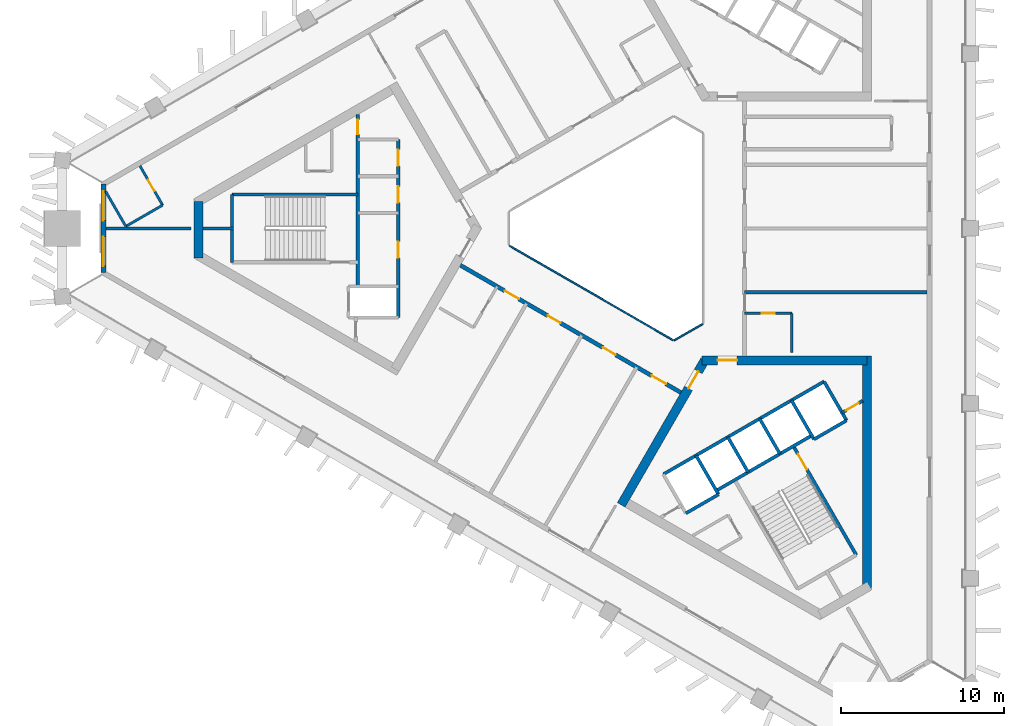
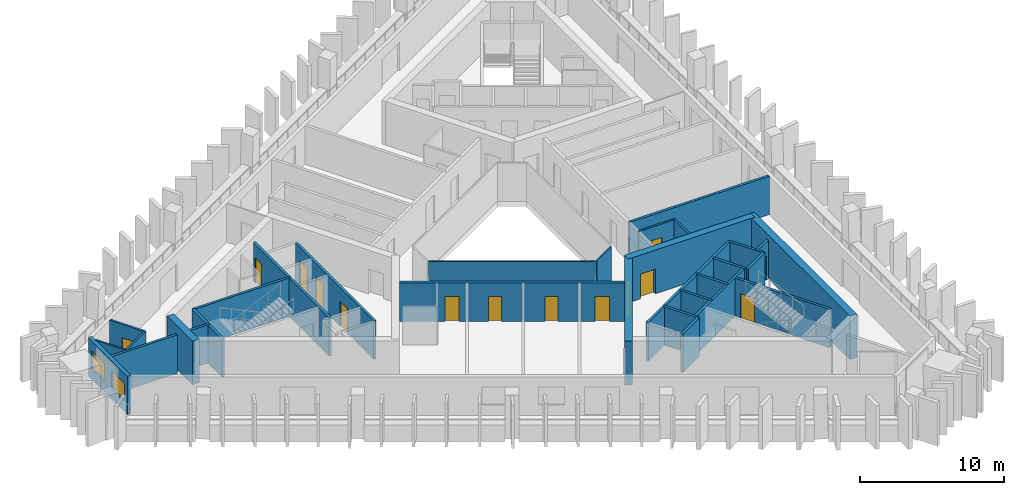
# One storey, part 3 of 9: 31 walls, 14 doors, 2 windows, 16 openings.
"""IFC4 building model written with IfcOpenShell, lengths in metres."""

from ifc_helpers import new_model, si_unit, direction, frame, frame_2d, origin, place, context, subcontext, project, spatial, rectangle, extrude, material, layer, layer_set, type_object, element, fill, save


model = new_model("IFC4")

# Units and contexts
model_context = context("Model", 3, precision=1e-05, world=origin(), true_north=direction((0.0, 1.0)))
body_context = subcontext(model_context, "Body", "Model", "MODEL_VIEW")
ifc_project = project(units=[si_unit("LENGTHUNIT", "METRE"), si_unit("AREAUNIT", "SQUARE_METRE"), si_unit("VOLUMEUNIT", "CUBIC_METRE"), si_unit("PLANEANGLEUNIT", "RADIAN"), si_unit("MASSUNIT", "GRAM", prefix="KILO")], contexts=[model_context])

# Site, building, storey
site_placement = place(None, origin())
site = spatial("IfcSite", under=ifc_project, at=site_placement, CompositionType="ELEMENT")
building_placement = place(site_placement, origin())
building = spatial("IfcBuilding", under=site, at=building_placement, Name="Jabali Bay Hotel Tower and Convention Centre", CompositionType="ELEMENT")
storey_placement = place(building_placement, frame((0.0, 0.0, 182.199951171875)))
storey = spatial("IfcBuildingStorey", under=building, at=storey_placement, Name="L44", CompositionType="ELEMENT", Elevation=182.199951171875)

# Walls
ifc_material_1 = material(Name="Fire-resistant glazing", Category="glass")
ifc_layer_1 = layer(ifc_material_1, 0.10009765625)
ifc_layer_set_1 = layer_set([ifc_layer_1], Name="Fire-resistant glazing")
wall_type_1 = type_object("IfcWallType", Name="Atrium glazed screen 100", PredefinedType="PARTITIONING", material=ifc_layer_set_1)
wall_1_placement = place(storey_placement, frame((67.7021484375, 78.947998046875, 0.0), z_axis=(0.0, 0.0, 1.0), x_axis=(0.866026658274, -0.499997827154, 0.0)))
element("IfcWall", 1, at=wall_1_placement, inside=storey, type_object=wall_type_1, Name="Atrium screen 5 L44", PredefinedType="PARTITIONING", context=body_context, shape_type="SweptSolid", body=[
    extrude(rectangle(XDim=11.58837890625, YDim=0.10009765625, at=frame_2d((5.794189453125, 0.0))), origin(), (0.0, 0.0, 1.0), 3.25),
])
wall_2_placement = place(storey_placement, frame((77.7978515625, 73.15380859375, 0.0), z_axis=(0.0, 0.0, 1.0), x_axis=(0.866041268327, 0.499972520799, 0.0)))
element("IfcWall", 2, at=wall_2_placement, inside=storey, type_object=wall_type_1, Name="Atrium screen 6 L44", PredefinedType="PARTITIONING", context=body_context, shape_type="SweptSolid", body=[
    extrude(rectangle(XDim=2.0, YDim=0.10009765625, at=frame_2d((1.0, 0.0))), origin(), (0.0, 0.0, 1.0), 3.25),
])
ifc_material_2 = material(Name="Concrete C40", Category="concrete")
ifc_layer_2 = layer(ifc_material_2, 0.199951171875)
ifc_layer_set_2 = layer_set([ifc_layer_2], Name="Concrete C40")
wall_type_2 = type_object("IfcWallType", Name="Core partition wall 200", PredefinedType="PARTITIONING", material=ifc_layer_set_2)
wall_3_placement = place(storey_placement, frame((50.820068359375, 80.0, 0.0), z_axis=(0.0, 0.0, 1.0), x_axis=(-1.0, 0.0, 0.0)))
element("IfcWall", 3, at=wall_3_placement, inside=storey, type_object=wall_type_2, Name="Core wall 0.5 L44", PredefinedType="PARTITIONING", context=body_context, shape_type="SweptSolid", body=[
    extrude(rectangle(XDim=1.873046875, YDim=0.199951171875, at=frame_2d((0.9365234375, 0.0))), origin(), (0.0, 0.0, 1.0), 3.25),
])

# Wall, opening, door
wall_4_placement = place(storey_placement, frame((88.064697265625, 68.72119140625, 0.0), z_axis=(0.0, 0.0, 1.0), x_axis=(0.865982457891, 0.500074377092, 0.0)))
wall_4 = element("IfcWall", 4, at=wall_4_placement, inside=storey, type_object=wall_type_2, Name="Core wall 2.12 L44", PredefinedType="PARTITIONING", context=body_context, shape_type="SweptSolid", body=[
    extrude(rectangle(XDim=1.461181640625, YDim=0.199951171875, at=frame_2d((0.73046875, 0.0))), origin(), (0.0, 0.0, 1.0), 3.25),
])
opening_1_placement = place(wall_4_placement, frame((0.280517578125, 0.0, 0.0)))
opening_1 = element("IfcOpeningElement", 5, at=opening_1_placement, cuts=wall_4, Name="Opening D964", PredefinedType="OPENING", context=body_context, shape_type="SweptSolid", body=[
    extrude(rectangle(XDim=0.89990234375, YDim=2.10009765625, at=frame_2d((0.449951171875, 1.050048828125))), frame((0.0, 0.1103515625, 0.0), z_axis=(0.0, -1.0, 0.0), x_axis=(1.0, 0.0, 0.0)), (0.0, 0.0, 1.0), 0.220947265625),
])
ifc_material_3 = material(Name="Fire-rated steel door", Category="steel")
door_type_1 = type_object("IfcDoorType", Name="Vestibule fire door 900 x 2100", OperationType="NOTDEFINED", PredefinedType="NOTDEFINED", material=ifc_material_3)
door_1_placement = place(opening_1_placement, origin())
door_1 = element("IfcDoor", 6, at=door_1_placement, inside=storey, type_object=door_type_1, Name="Vestibule fire door D964", OperationType="SINGLE_SWING_LEFT", OverallHeight=2.10009765625, OverallWidth=0.89990234375, PredefinedType="NOTDEFINED", context=body_context, shape_type="SweptSolid", body=[
    extrude(rectangle(XDim=0.89990234375, YDim=2.10009765625, at=frame_2d((0.449951171875, 1.050048828125))), frame((0.0, 0.02490234375, 0.0), z_axis=(0.0, -1.0, 0.0), x_axis=(1.0, 0.0, 0.0)), (0.0, 0.0, 1.0), 0.050048828125),
])
fill(opening_1, door_1)

# Wall
ifc_layer_3 = layer(ifc_material_2, 0.199951171875)
ifc_layer_set_3 = layer_set([ifc_layer_3], Name="Concrete C40")
wall_type_3 = type_object("IfcWallType", Name="Core stair wall 200", PredefinedType="SOLIDWALL", material=ifc_layer_set_3)
wall_5_placement = place(storey_placement, frame((58.419921875, 82.074951171875, 0.0), z_axis=(0.0, 0.0, 1.0), x_axis=(-1.0, 0.0, 0.0)))
element("IfcWall", 7, at=wall_5_placement, inside=storey, type_object=wall_type_3, Name="Core wall 0.3 L44", PredefinedType="SOLIDWALL", context=body_context, shape_type="SweptSolid", body=[
    extrude(rectangle(XDim=7.699951171875, YDim=0.199951171875, at=frame_2d((3.85009765625, 0.0))), origin(), (0.0, 0.0, 1.0), 3.25),
])

# Wall, openings, doors
wall_6_placement = place(storey_placement, frame((60.89990234375, 85.449951171875, 0.0), z_axis=(0.0, 0.0, 1.0), x_axis=(0.0, -1.0, 0.0)))
wall_6 = element("IfcWall", 8, at=wall_6_placement, inside=storey, type_object=wall_type_3, Name="Core wall 0.9 L44", PredefinedType="SOLIDWALL", context=body_context, shape_type="SweptSolid", body=[
    extrude(rectangle(XDim=10.89990234375, YDim=0.199951171875, at=frame_2d((5.449951171875, 0.0))), origin(), (0.0, 0.0, 1.0), 3.25),
])
opening_2_placement = place(wall_6_placement, frame((0.625, 0.0, 0.0)))
opening_2 = element("IfcOpeningElement", 9, at=opening_2_placement, cuts=wall_6, Name="Opening D949", PredefinedType="OPENING", context=body_context, shape_type="SweptSolid", body=[
    extrude(rectangle(XDim=1.0, YDim=2.10009765625, at=frame_2d((0.5, 1.050048828125))), frame((0.0, 0.1103515625, 0.0), z_axis=(0.0, -1.0, 0.0), x_axis=(1.0, 0.0, 0.0)), (0.0, 0.0, 1.0), 0.220947265625),
])
opening_3_placement = place(wall_6_placement, frame((2.875, 0.0, 0.0)))
opening_3 = element("IfcOpeningElement", 10, at=opening_3_placement, cuts=wall_6, Name="Opening D950", PredefinedType="OPENING", context=body_context, shape_type="SweptSolid", body=[
    extrude(rectangle(XDim=1.0, YDim=2.10009765625, at=frame_2d((0.5, 1.050048828125))), frame((0.0, 0.1103515625, 0.0), z_axis=(0.0, -1.0, 0.0), x_axis=(1.0, 0.0, 0.0)), (0.0, 0.0, 1.0), 0.220947265625),
])
opening_4_placement = place(wall_6_placement, frame((6.25, 0.0, 0.0)))
opening_4 = element("IfcOpeningElement", 11, at=opening_4_placement, cuts=wall_6, Name="Opening D951", PredefinedType="OPENING", context=body_context, shape_type="SweptSolid", body=[
    extrude(rectangle(XDim=1.0, YDim=2.10009765625, at=frame_2d((0.5, 1.050048828125))), frame((0.0, 0.1103515625, 0.0), z_axis=(0.0, -1.0, 0.0), x_axis=(1.0, 0.0, 0.0)), (0.0, 0.0, 1.0), 0.220947265625),
])
door_type_2 = type_object("IfcDoorType", Name="Core room door 1000 x 2100", OperationType="NOTDEFINED", PredefinedType="NOTDEFINED", material=ifc_material_3)
door_2_placement = place(opening_2_placement, origin())
door_2 = element("IfcDoor", 12, at=door_2_placement, inside=storey, type_object=door_type_2, Name="Core room door D949", OperationType="SINGLE_SWING_RIGHT", OverallHeight=2.10009765625, OverallWidth=1.0, PredefinedType="NOTDEFINED", context=body_context, shape_type="SweptSolid", body=[
    extrude(rectangle(XDim=1.0, YDim=2.10009765625, at=frame_2d((0.5, 1.050048828125))), frame((0.0, 0.02490234375, 0.0), z_axis=(0.0, -1.0, 0.0), x_axis=(1.0, 0.0, 0.0)), (0.0, 0.0, 1.0), 0.050048828125),
])
fill(opening_2, door_2)
door_3_placement = place(opening_3_placement, origin())
door_3 = element("IfcDoor", 13, at=door_3_placement, inside=storey, type_object=door_type_2, Name="Core room door D950", OperationType="SINGLE_SWING_RIGHT", OverallHeight=2.10009765625, OverallWidth=1.0, PredefinedType="NOTDEFINED", context=body_context, shape_type="SweptSolid", body=[
    extrude(rectangle(XDim=1.0, YDim=2.10009765625, at=frame_2d((0.5, 1.050048828125))), frame((0.0, 0.02490234375, 0.0), z_axis=(0.0, -1.0, 0.0), x_axis=(1.0, 0.0, 0.0)), (0.0, 0.0, 1.0), 0.050048828125),
])
fill(opening_3, door_3)
door_4_placement = place(opening_4_placement, origin())
door_4 = element("IfcDoor", 14, at=door_4_placement, inside=storey, type_object=door_type_2, Name="Core room door D951", OperationType="SINGLE_SWING_RIGHT", OverallHeight=2.10009765625, OverallWidth=1.0, PredefinedType="NOTDEFINED", context=body_context, shape_type="SweptSolid", body=[
    extrude(rectangle(XDim=1.0, YDim=2.10009765625, at=frame_2d((0.5, 1.050048828125))), frame((0.0, 0.02490234375, 0.0), z_axis=(0.0, -1.0, 0.0), x_axis=(1.0, 0.0, 0.0)), (0.0, 0.0, 1.0), 0.050048828125),
])
fill(opening_4, door_4)

# Wall, opening, door
wall_7_placement = place(storey_placement, frame((58.419921875, 86.974365234375, 0.0), z_axis=(0.0, 0.0, 1.0), x_axis=(0.0, -1.0, 0.0)))
wall_7 = element("IfcWall", 15, at=wall_7_placement, inside=storey, type_object=wall_type_3, Name="Core wall 0.10 L44", PredefinedType="SOLIDWALL", context=body_context, shape_type="SweptSolid", body=[
    extrude(rectangle(XDim=10.5244140625, YDim=0.199951171875, at=frame_2d((5.26220703125, 0.0))), origin(), (0.0, 0.0, 1.0), 3.25),
])
opening_5_placement = place(wall_7_placement, frame((0.312255859375, 0.0, 0.0)))
opening_5 = element("IfcOpeningElement", 16, at=opening_5_placement, cuts=wall_7, Name="Opening D953", PredefinedType="OPENING", context=body_context, shape_type="SweptSolid", body=[
    extrude(rectangle(XDim=0.89990234375, YDim=2.10009765625, at=frame_2d((0.449951171875, 1.050048828125))), frame((0.0, 0.1103515625, 0.0), z_axis=(0.0, -1.0, 0.0), x_axis=(1.0, 0.0, 0.0)), (0.0, 0.0, 1.0), 0.220947265625),
])
door_5_placement = place(opening_5_placement, origin())
door_5 = element("IfcDoor", 17, at=door_5_placement, inside=storey, type_object=door_type_1, Name="Vestibule fire door D953", OperationType="SINGLE_SWING_LEFT", OverallHeight=2.10009765625, OverallWidth=0.89990234375, PredefinedType="NOTDEFINED", context=body_context, shape_type="SweptSolid", body=[
    extrude(rectangle(XDim=0.89990234375, YDim=2.10009765625, at=frame_2d((0.449951171875, 1.050048828125))), frame((0.0, 0.02490234375, 0.0), z_axis=(0.0, -1.0, 0.0), x_axis=(1.0, 0.0, 0.0)), (0.0, 0.0, 1.0), 0.050048828125),
])
fill(opening_5, door_5)

# Walls
wall_8_placement = place(storey_placement, frame((50.719970703125, 82.074951171875, 0.0), z_axis=(0.0, 0.0, 1.0), x_axis=(0.0, -1.0, 0.0)))
element("IfcWall", 18, at=wall_8_placement, inside=storey, type_object=wall_type_3, Name="Core wall 0.15 L44", PredefinedType="SOLIDWALL", context=body_context, shape_type="SweptSolid", body=[
    extrude(rectangle(XDim=4.14990234375, YDim=0.199951171875, at=frame_2d((2.074951171875, 0.0))), origin(), (0.0, 0.0, 1.0), 3.25),
])
wall_9_placement = place(storey_placement, frame((79.127197265625, 66.1015625, 0.0), z_axis=(0.0, 0.0, 1.0), x_axis=(0.499996545922, -0.866027397988, 0.0)))
element("IfcWall", 19, at=wall_9_placement, inside=storey, type_object=wall_type_3, Name="Core wall 2.2 L44", PredefinedType="SOLIDWALL", context=body_context, shape_type="SweptSolid", body=[
    extrude(rectangle(XDim=2.75, YDim=0.199951171875, at=frame_2d((1.375, 0.0))), origin(), (0.0, 0.0, 1.0), 3.25),
])
for number, where, z_axis, x_axis, name in (
    (20, (81.07568359375, 67.2265625, 0.0), (0.0, 0.0, 1.0), (0.50000366821, -0.866023285932, 0.0), "Core wall 2.4 L44"),
    (21, (83.024169921875, 68.3515625, 0.0), (0.0, 0.0, 1.0), (0.50000366821, -0.866023285932, 0.0), "Core wall 2.6 L44"),
):
    element("IfcWall", number, at=place(storey_placement, frame(where, z_axis=z_axis, x_axis=x_axis)), inside=storey, type_object=wall_type_3, Name=name, PredefinedType="SOLIDWALL", context=body_context, shape_type="SweptSolid", body=[
        extrude(rectangle(XDim=2.47998046875, YDim=0.199951171875, at=frame_2d((1.239990234375, 0.0))), origin(), (0.0, 0.0, 1.0), 3.25),
    ])

# Wall, opening, door
wall_10_placement = place(storey_placement, frame((85.0869140625, 66.6787109375, 0.0), z_axis=(0.0, 0.0, 1.0), x_axis=(0.500019787375, -0.866013979237, 0.0)))
wall_10 = element("IfcWall", 22, at=wall_10_placement, inside=storey, type_object=wall_type_3, Name="Core wall 2.7 L44", PredefinedType="SOLIDWALL", context=body_context, shape_type="SweptSolid", body=[
    extrude(rectangle(XDim=7.699951171875, YDim=0.199951171875, at=frame_2d((3.85009765625, 0.0))), origin(), (0.0, 0.0, 1.0), 3.25),
])
opening_6_placement = place(wall_10_placement, frame((0.550048828125, 0.0, 0.0)))
opening_6 = element("IfcOpeningElement", 23, at=opening_6_placement, cuts=wall_10, Name="Opening D966", PredefinedType="OPENING", context=body_context, shape_type="SweptSolid", body=[
    extrude(rectangle(XDim=1.10009765625, YDim=2.10009765625, at=frame_2d((0.550048828125, 1.050048828125))), frame((0.0, 0.1103515625, 0.0), z_axis=(0.0, -1.0, 0.0), x_axis=(1.0, 0.0, 0.0)), (0.0, 0.0, 1.0), 0.220947265625),
])
door_type_3 = type_object("IfcDoorType", Name="Stair fire door 1100 x 2100", OperationType="NOTDEFINED", PredefinedType="NOTDEFINED", material=ifc_material_3)
door_6_placement = place(opening_6_placement, origin())
door_6 = element("IfcDoor", 24, at=door_6_placement, inside=storey, type_object=door_type_3, Name="Stair fire door D966", OperationType="SINGLE_SWING_RIGHT", OverallHeight=2.10009765625, OverallWidth=1.10009765625, PredefinedType="NOTDEFINED", context=body_context, shape_type="SweptSolid", body=[
    extrude(rectangle(XDim=1.10009765625, YDim=2.10009765625, at=frame_2d((0.550048828125, 1.050048828125))), frame((0.0, 0.02490234375, 0.0), z_axis=(0.0, -1.0, 0.0), x_axis=(1.0, 0.0, 0.0)), (0.0, 0.0, 1.0), 0.050048828125),
])
fill(opening_6, door_6)

# Walls
for number, where, z_axis, x_axis, name in (
    (25, (84.972900390625, 69.4765625, 0.0), (0.0, 0.0, 1.0), (0.499996545922, -0.866027397988, 0.0), "Core wall 2.8 L44"),
    (26, (86.964599609375, 70.62646484375, 0.0), (0.0, 0.0, 1.0), (0.499996545922, -0.866027397988, 0.0), "Core wall 2.9 L44"),
):
    element("IfcWall", number, at=place(storey_placement, frame(where, z_axis=z_axis, x_axis=x_axis)), inside=storey, type_object=wall_type_3, Name=name, PredefinedType="SOLIDWALL", context=body_context, shape_type="SweptSolid", body=[
        extrude(rectangle(XDim=2.75, YDim=0.199951171875, at=frame_2d((1.375, 0.0))), origin(), (0.0, 0.0, 1.0), 3.25),
    ])
wall_11_placement = place(storey_placement, frame((77.13525390625, 64.95166015625, 0.0), z_axis=(0.0, 0.0, 1.0), x_axis=(0.866031916153, 0.499988720078, 0.0)))
element("IfcWall", 27, at=wall_11_placement, inside=storey, type_object=wall_type_3, Name="Core wall 2.10 L44", PredefinedType="SOLIDWALL", context=body_context, shape_type="SweptSolid", body=[
    extrude(rectangle(XDim=11.349853515625, YDim=0.199951171875, at=frame_2d((5.6748046875, 0.0))), origin(), (0.0, 0.0, 1.0), 3.25),
])
wall_12_placement = place(storey_placement, frame((80.3671875, 63.953857421875, 0.0), z_axis=(0.0, 0.0, 1.0), x_axis=(0.866026575979, 0.499997969693, 0.0)))
element("IfcWall", 28, at=wall_12_placement, inside=storey, type_object=wall_type_3, Name="Core wall 2.13 L44", PredefinedType="SOLIDWALL", context=body_context, shape_type="SweptSolid", body=[
    extrude(rectangle(XDim=6.75, YDim=0.199951171875, at=frame_2d((3.375, 0.0))), origin(), (0.0, 0.0, 1.0), 3.25),
])
wall_13_placement = place(storey_placement, frame((78.51025390625, 62.570068359375, 0.0), z_axis=(0.0, 0.0, 1.0), x_axis=(0.866053019151, 0.499952165731, 0.0)))
element("IfcWall", 29, at=wall_13_placement, inside=storey, type_object=wall_type_3, Name="Core wall 2.14 L44", PredefinedType="SOLIDWALL", context=body_context, shape_type="SweptSolid", body=[
    extrude(rectangle(XDim=2.300048828125, YDim=0.199951171875, at=frame_2d((1.14990234375, 0.0))), origin(), (0.0, 0.0, 1.0), 3.25),
])
wall_14_placement = place(storey_placement, frame((86.347900390625, 67.094970703125, 0.0), z_axis=(0.0, 0.0, 1.0), x_axis=(0.86602648383, 0.499998129301, 0.0)))
element("IfcWall", 30, at=wall_14_placement, inside=storey, type_object=wall_type_3, Name="Core wall 2.15 L44", PredefinedType="SOLIDWALL", context=body_context, shape_type="SweptSolid", body=[
    extrude(rectangle(XDim=2.2998046875, YDim=0.199951171875, at=frame_2d((1.14990234375, 0.0))), origin(), (0.0, 0.0, 1.0), 3.25),
])
ifc_material_4 = material(Name="Concrete C60", Category="concrete")
ifc_layer_4 = layer(ifc_material_4, 0.550048828125)
ifc_layer_set_4 = layer_set([ifc_layer_4], Name="Concrete C60")
wall_type_4 = type_object("IfcWallType", Name="Core wall 550", PredefinedType="SHEAR", material=ifc_layer_set_4)
wall_15_placement = place(storey_placement, frame((48.671875, 81.663818359375, 0.0), z_axis=(0.0, 0.0, 1.0), x_axis=(0.0, -1.0, 0.0)))
element("IfcWall", 31, at=wall_15_placement, inside=storey, type_object=wall_type_4, Name="Core wall 1.3 L44", PredefinedType="SHEAR", context=body_context, shape_type="SweptSolid", body=[
    extrude(rectangle(XDim=3.486572265625, YDim=0.550048828125, at=frame_2d((1.7431640625, 0.0))), origin(), (0.0, 0.0, 1.0), 3.699951171875),
])

# Wall, opening, door
wall_16_placement = place(storey_placement, frame((79.65869140625, 71.9306640625, 0.0), z_axis=(0.0, 0.0, 1.0), x_axis=(-0.500000202252, -0.866025287014, 0.0)))
wall_16 = element("IfcWall", 32, at=wall_16_placement, inside=storey, type_object=wall_type_4, Name="Core wall 3.1 L44", PredefinedType="SHEAR", context=body_context, shape_type="SweptSolid", body=[
    extrude(rectangle(XDim=10.22119140625, YDim=0.550048828125, at=frame_2d((5.110595703125, 0.0))), origin(), (0.0, 0.0, 1.0), 3.699951171875),
])
opening_7_placement = place(wall_16_placement, frame((0.791259765625, 0.0, 0.0)))
opening_7 = element("IfcOpeningElement", 33, at=opening_7_placement, cuts=wall_16, Name="Opening D962", PredefinedType="OPENING", context=body_context, shape_type="SweptSolid", body=[
    extrude(rectangle(XDim=1.199951171875, YDim=2.10009765625, at=frame_2d((0.60009765625, 1.050048828125))), frame((0.0, 0.28564453125, 0.0), z_axis=(0.0, -1.0, 0.0), x_axis=(1.0, 0.0, 0.0)), (0.0, 0.0, 1.0), 0.571044921875),
])
door_type_4 = type_object("IfcDoorType", Name="Corridor end fire door 1200 x 2100", OperationType="NOTDEFINED", PredefinedType="NOTDEFINED", material=ifc_material_3)
door_7_placement = place(opening_7_placement, origin())
door_7 = element("IfcDoor", 34, at=door_7_placement, inside=storey, type_object=door_type_4, Name="Corridor end fire door D962", OperationType="SINGLE_SWING_RIGHT", OverallHeight=2.10009765625, OverallWidth=1.199951171875, PredefinedType="NOTDEFINED", context=body_context, shape_type="SweptSolid", body=[
    extrude(rectangle(XDim=1.199951171875, YDim=2.10009765625, at=frame_2d((0.60009765625, 1.050048828125))), frame((0.0, 0.02490234375, 0.0), z_axis=(0.0, -1.0, 0.0), x_axis=(1.0, 0.0, 0.0)), (0.0, 0.0, 1.0), 0.050048828125),
])
fill(opening_7, door_7)

# Wall
wall_17_placement = place(storey_placement, frame((89.60498046875, 58.03125, 0.0), z_axis=(0.0, 0.0, 1.0), x_axis=(0.0, 1.0, 0.0)))
element("IfcWall", 35, at=wall_17_placement, inside=storey, type_object=wall_type_4, Name="Core wall 3.4 L44", PredefinedType="SHEAR", context=body_context, shape_type="SweptSolid", body=[
    extrude(rectangle(XDim=14.174560546875, YDim=0.550048828125, at=frame_2d((7.08740234375, 0.0))), origin(), (0.0, 0.0, 1.0), 3.699951171875),
])

# Wall, opening, door
wall_18_placement = place(storey_placement, frame((89.60498046875, 71.9306640625, 0.0), z_axis=(0.0, 0.0, 1.0), x_axis=(-1.0, 0.0, 0.0)))
wall_18 = element("IfcWall", 36, at=wall_18_placement, inside=storey, type_object=wall_type_4, Name="Core wall 3.5 L44", PredefinedType="SHEAR", context=body_context, shape_type="SweptSolid", body=[
    extrude(rectangle(XDim=10.10498046875, YDim=0.550048828125, at=frame_2d((5.052490234375, 0.0))), origin(), (0.0, 0.0, 1.0), 3.699951171875),
])
opening_8_placement = place(wall_18_placement, frame((7.955078125, 0.0, 0.0)))
opening_8 = element("IfcOpeningElement", 37, at=opening_8_placement, cuts=wall_18, Name="Opening D963", PredefinedType="OPENING", context=body_context, shape_type="SweptSolid", body=[
    extrude(rectangle(XDim=1.199951171875, YDim=2.10009765625, at=frame_2d((0.60009765625, 1.050048828125))), frame((0.0, 0.28564453125, 0.0), z_axis=(0.0, -1.0, 0.0), x_axis=(1.0, 0.0, 0.0)), (0.0, 0.0, 1.0), 0.571044921875),
])
door_8_placement = place(opening_8_placement, origin())
door_8 = element("IfcDoor", 38, at=door_8_placement, inside=storey, type_object=door_type_4, Name="Corridor end fire door D963", OperationType="SINGLE_SWING_LEFT", OverallHeight=2.10009765625, OverallWidth=1.199951171875, PredefinedType="NOTDEFINED", context=body_context, shape_type="SweptSolid", body=[
    extrude(rectangle(XDim=1.199951171875, YDim=2.10009765625, at=frame_2d((0.60009765625, 1.050048828125))), frame((0.0, 0.02490234375, 0.0), z_axis=(0.0, -1.0, 0.0), x_axis=(1.0, 0.0, 0.0)), (0.0, 0.0, 1.0), 0.050048828125),
])
fill(opening_8, door_8)

# Wall, openings, doors
ifc_layer_5 = layer(ifc_material_4, 0.25)
ifc_layer_set_5 = layer_set([ifc_layer_5], Name="Concrete C60")
wall_type_5 = type_object("IfcWallType", Name="Corridor wall 250", PredefinedType="SHEAR", material=ifc_layer_set_5)
wall_19_placement = place(storey_placement, frame((64.699951171875, 77.748291015625, 0.0), z_axis=(0.0, 0.0, 1.0), x_axis=(0.866026492143, -0.499998114903, 0.0)))
wall_19 = element("IfcWall", 39, at=wall_19_placement, inside=storey, type_object=wall_type_5, Name="Corridor wall 3 L44", PredefinedType="SHEAR", context=body_context, shape_type="SweptSolid", body=[
    extrude(rectangle(XDim=15.58837890625, YDim=0.25, at=frame_2d((7.794189453125, 0.0))), origin(), (0.0, 0.0, 1.0), 3.25),
])
opening_9_placement = place(wall_19_placement, frame((3.13818359375, 0.0, 0.0)))
opening_9 = element("IfcOpeningElement", 40, at=opening_9_placement, cuts=wall_19, Name="Opening 4417", PredefinedType="OPENING", context=body_context, shape_type="SweptSolid", body=[
    extrude(rectangle(XDim=1.0, YDim=2.10009765625, at=frame_2d((0.5, 1.050048828125))), frame((0.0, 0.135498046875, 0.0), z_axis=(0.0, -1.0, 0.0), x_axis=(1.0, 0.0, 0.0)), (0.0, 0.0, 1.0), 0.27099609375),
])
opening_10_placement = place(wall_19_placement, frame((6.175048828125, 0.0, 0.0)))
opening_10 = element("IfcOpeningElement", 41, at=opening_10_placement, cuts=wall_19, Name="Opening 4418", PredefinedType="OPENING", context=body_context, shape_type="SweptSolid", body=[
    extrude(rectangle(XDim=0.89990234375, YDim=2.10009765625, at=frame_2d((0.449951171875, 1.050048828125))), frame((0.0, 0.135498046875, 0.0), z_axis=(0.0, -1.0, 0.0), x_axis=(1.0, 0.0, 0.0)), (0.0, 0.0, 1.0), 0.27099609375),
])
opening_11_placement = place(wall_19_placement, frame((10.072265625, 0.0, 0.0)))
opening_11 = element("IfcOpeningElement", 42, at=opening_11_placement, cuts=wall_19, Name="Opening 4419", PredefinedType="OPENING", context=body_context, shape_type="SweptSolid", body=[
    extrude(rectangle(XDim=0.89990234375, YDim=2.10009765625, at=frame_2d((0.449951171875, 1.050048828125))), frame((0.0, 0.135498046875, 0.0), z_axis=(0.0, -1.0, 0.0), x_axis=(1.0, 0.0, 0.0)), (0.0, 0.0, 1.0), 0.27099609375),
])
opening_12_placement = place(wall_19_placement, frame((13.529541015625, 0.0, 0.0)))
opening_12 = element("IfcOpeningElement", 43, at=opening_12_placement, cuts=wall_19, Name="Opening 4420", PredefinedType="OPENING", context=body_context, shape_type="SweptSolid", body=[
    extrude(rectangle(XDim=1.0, YDim=2.10009765625, at=frame_2d((0.5, 1.050048828125))), frame((0.0, 0.135498046875, 0.0), z_axis=(0.0, -1.0, 0.0), x_axis=(1.0, 0.0, 0.0)), (0.0, 0.0, 1.0), 0.27099609375),
])
ifc_material_5 = material(Name="Timber", Category="wood")
door_type_5 = type_object("IfcDoorType", Name="Guest room door 1000 x 2100", OperationType="NOTDEFINED", PredefinedType="NOTDEFINED", material=ifc_material_5)
door_9_placement = place(opening_9_placement, origin())
door_9 = element("IfcDoor", 44, at=door_9_placement, inside=storey, type_object=door_type_5, Name="Door 4417", OperationType="SINGLE_SWING_LEFT", OverallHeight=2.10009765625, OverallWidth=1.0, PredefinedType="NOTDEFINED", context=body_context, shape_type="SweptSolid", body=[
    extrude(rectangle(XDim=1.0, YDim=2.10009765625, at=frame_2d((0.5, 1.050048828125))), frame((0.0, 0.02490234375, 0.0), z_axis=(0.0, -1.0, 0.0), x_axis=(1.0, 0.0, 0.0)), (0.0, 0.0, 1.0), 0.050048828125),
])
fill(opening_9, door_9)
door_10_placement = place(opening_12_placement, origin())
door_10 = element("IfcDoor", 45, at=door_10_placement, inside=storey, type_object=door_type_5, Name="Door 4420", OperationType="SINGLE_SWING_RIGHT", OverallHeight=2.10009765625, OverallWidth=1.0, PredefinedType="NOTDEFINED", context=body_context, shape_type="SweptSolid", body=[
    extrude(rectangle(XDim=1.0, YDim=2.10009765625, at=frame_2d((0.5, 1.050048828125))), frame((0.0, 0.02490234375, 0.0), z_axis=(0.0, -1.0, 0.0), x_axis=(1.0, 0.0, 0.0)), (0.0, 0.0, 1.0), 0.050048828125),
])
fill(opening_12, door_10)
door_type_6 = type_object("IfcDoorType", Name="Internal door 900 x 2100", OperationType="NOTDEFINED", PredefinedType="NOTDEFINED", material=ifc_material_5)
door_11_placement = place(opening_10_placement, origin())
door_11 = element("IfcDoor", 46, at=door_11_placement, inside=storey, type_object=door_type_6, Name="Door 4418", OperationType="SINGLE_SWING_LEFT", OverallHeight=2.10009765625, OverallWidth=0.89990234375, PredefinedType="NOTDEFINED", context=body_context, shape_type="SweptSolid", body=[
    extrude(rectangle(XDim=0.89990234375, YDim=2.10009765625, at=frame_2d((0.449951171875, 1.050048828125))), frame((0.0, 0.02490234375, 0.0), z_axis=(0.0, -1.0, 0.0), x_axis=(1.0, 0.0, 0.0)), (0.0, 0.0, 1.0), 0.050048828125),
])
fill(opening_10, door_11)
door_12_placement = place(opening_11_placement, origin())
door_12 = element("IfcDoor", 47, at=door_12_placement, inside=storey, type_object=door_type_6, Name="Door 4419", OperationType="SINGLE_SWING_RIGHT", OverallHeight=2.10009765625, OverallWidth=0.89990234375, PredefinedType="NOTDEFINED", context=body_context, shape_type="SweptSolid", body=[
    extrude(rectangle(XDim=0.89990234375, YDim=2.10009765625, at=frame_2d((0.449951171875, 1.050048828125))), frame((0.0, 0.02490234375, 0.0), z_axis=(0.0, -1.0, 0.0), x_axis=(1.0, 0.0, 0.0)), (0.0, 0.0, 1.0), 0.050048828125),
])
fill(opening_11, door_12)

# Wall, openings, windows
ifc_layer_6 = layer(ifc_material_2, 0.300048828125)
ifc_layer_set_6 = layer_set([ifc_layer_6], Name="Concrete C40")
wall_type_6 = type_object("IfcWallType", Name="External wall 300", PredefinedType="SOLIDWALL", material=ifc_layer_set_6)
wall_20_placement = place(storey_placement, frame((42.840576171875, 77.289306640625, 0.0), z_axis=(0.0, 0.0, 1.0), x_axis=(0.0, 1.0, 0.0)))
wall_20 = element("IfcWall", 48, at=wall_20_placement, inside=storey, type_object=wall_type_6, Name="External wall west chamfer L44", PredefinedType="SOLIDWALL", context=body_context, shape_type="SweptSolid", body=[
    extrude(rectangle(XDim=5.42138671875, YDim=0.300048828125, at=frame_2d((2.710693359375, 0.0))), origin(), (0.0, 0.0, 1.0), 3.25),
])
opening_13_placement = place(wall_20_placement, frame((3.197998046875, 0.0, 0.89990234375)))
opening_13 = element("IfcOpeningElement", 49, at=opening_13_placement, cuts=wall_20, Name="Opening W1", PredefinedType="OPENING", context=body_context, shape_type="SweptSolid", body=[
    extrude(rectangle(XDim=1.800048828125, YDim=1.5, at=frame_2d((0.89990234375, 0.75))), frame((0.0, 0.16064453125, 0.0), z_axis=(0.0, -1.0, 0.0), x_axis=(1.0, 0.0, 0.0)), (0.0, 0.0, 1.0), 0.321044921875),
])
opening_14_placement = place(wall_20_placement, frame((0.41259765625, 0.0, 0.89990234375)))
opening_14 = element("IfcOpeningElement", 50, at=opening_14_placement, cuts=wall_20, Name="Opening W1", PredefinedType="OPENING", context=body_context, shape_type="SweptSolid", body=[
    extrude(rectangle(XDim=1.800048828125, YDim=1.5, at=frame_2d((0.89990234375, 0.75))), frame((0.0, 0.16064453125, 0.0), z_axis=(0.0, -1.0, 0.0), x_axis=(1.0, 0.0, 0.0)), (0.0, 0.0, 1.0), 0.321044921875),
])
ifc_material_6 = material(Name="Glass", Category="glass")
window_type = type_object("IfcWindowType", Name="Window 1800 x 1500", PartitioningType="SINGLE_PANEL", PredefinedType="WINDOW", material=ifc_material_6)
window_1_placement = place(opening_13_placement, origin())
window_1 = element("IfcWindow", 51, at=window_1_placement, inside=storey, type_object=window_type, Name="Window 4407", OverallHeight=1.5, OverallWidth=1.800048828125, PartitioningType="SINGLE_PANEL", PredefinedType="WINDOW", context=body_context, shape_type="SweptSolid", body=[
    extrude(rectangle(XDim=1.800048828125, YDim=1.5, at=frame_2d((0.89990234375, 0.75))), frame((0.0, 0.030029296875, 0.0), z_axis=(0.0, -1.0, 0.0), x_axis=(1.0, 0.0, 0.0)), (0.0, 0.0, 1.0), 0.06005859375),
])
fill(opening_13, window_1)
window_2_placement = place(opening_14_placement, origin())
window_2 = element("IfcWindow", 52, at=window_2_placement, inside=storey, type_object=window_type, Name="Window 4409", OverallHeight=1.5, OverallWidth=1.800048828125, PartitioningType="SINGLE_PANEL", PredefinedType="WINDOW", context=body_context, shape_type="SweptSolid", body=[
    extrude(rectangle(XDim=1.800048828125, YDim=1.5, at=frame_2d((0.89990234375, 0.75))), frame((0.0, 0.030029296875, 0.0), z_axis=(0.0, -1.0, 0.0), x_axis=(1.0, 0.0, 0.0)), (0.0, 0.0, 1.0), 0.06005859375),
])
fill(opening_14, window_2)

# Wall, opening, door
ifc_material_7 = material(Name="Plasterboard on steel stud", Category="steel")
ifc_layer_7 = layer(ifc_material_7, 0.14990234375)
ifc_layer_set_7 = layer_set([ifc_layer_7], Name="Plasterboard on steel stud")
wall_type_7 = type_object("IfcWallType", Name="Partition 150 wet", PredefinedType="PARTITIONING", material=ifc_layer_set_7)
wall_21_placement = place(storey_placement, frame((82.10009765625, 74.802978515625, 0.0), z_axis=(0.0, 0.0, 1.0), x_axis=(1.0, 0.0, 0.0)))
wall_21 = element("IfcWall", 53, at=wall_21_placement, inside=storey, type_object=wall_type_7, Name="Partition P03 L44 001", PredefinedType="PARTITIONING", context=body_context, shape_type="SweptSolid", body=[
    extrude(rectangle(XDim=2.89990234375, YDim=0.14990234375, at=frame_2d((1.449951171875, 0.0))), origin(), (0.0, 0.0, 1.0), 3.25),
])
opening_15_placement = place(wall_21_placement, frame((1.050048828125, 0.0, 0.0)))
opening_15 = element("IfcOpeningElement", 54, at=opening_15_placement, cuts=wall_21, Name="Opening 4401", PredefinedType="OPENING", context=body_context, shape_type="SweptSolid", body=[
    extrude(rectangle(XDim=0.800048828125, YDim=2.10009765625, at=frame_2d((0.39990234375, 1.050048828125))), frame((0.0, 0.08544921875, 0.0), z_axis=(0.0, -1.0, 0.0), x_axis=(1.0, 0.0, 0.0)), (0.0, 0.0, 1.0), 0.1708984375),
])
door_type_7 = type_object("IfcDoorType", Name="En-suite door 800 x 2100", OperationType="NOTDEFINED", PredefinedType="NOTDEFINED", material=ifc_material_5)
door_13_placement = place(opening_15_placement, origin())
door_13 = element("IfcDoor", 55, at=door_13_placement, inside=storey, type_object=door_type_7, Name="Door 4401", OperationType="SINGLE_SWING_LEFT", OverallHeight=2.10009765625, OverallWidth=0.800048828125, PredefinedType="NOTDEFINED", context=body_context, shape_type="SweptSolid", body=[
    extrude(rectangle(XDim=0.800048828125, YDim=2.10009765625, at=frame_2d((0.39990234375, 1.050048828125))), frame((0.0, 0.02490234375, 0.0), z_axis=(0.0, -1.0, 0.0), x_axis=(1.0, 0.0, 0.0)), (0.0, 0.0, 1.0), 0.050048828125),
])
fill(opening_15, door_13)

# Wall
wall_22_placement = place(storey_placement, frame((85.0, 74.802978515625, 0.0), z_axis=(0.0, 0.0, 1.0), x_axis=(0.0, -1.0, 0.0)))
element("IfcWall", 56, at=wall_22_placement, inside=storey, type_object=wall_type_7, Name="Partition P03 L44 002", PredefinedType="PARTITIONING", context=body_context, shape_type="SweptSolid", body=[
    extrude(rectangle(XDim=2.398193359375, YDim=0.14990234375, at=frame_2d((1.19921875, 0.0))), origin(), (0.0, 0.0, 1.0), 3.25),
])

# Wall, opening, door
wall_23_placement = place(storey_placement, frame((45.081298828125, 83.832275390625, 0.0), z_axis=(0.0, 0.0, 1.0), x_axis=(0.500006584067, -0.866021602438, 0.0)))
wall_23 = element("IfcWall", 57, at=wall_23_placement, inside=storey, type_object=wall_type_7, Name="Partition P03 L44 023", PredefinedType="PARTITIONING", context=body_context, shape_type="SweptSolid", body=[
    extrude(rectangle(XDim=2.77685546875, YDim=0.14990234375, at=frame_2d((1.388427734375, 0.0))), origin(), (0.0, 0.0, 1.0), 3.25),
])
opening_16_placement = place(wall_23_placement, frame((0.988037109375, 0.0, 0.0)))
opening_16 = element("IfcOpeningElement", 58, at=opening_16_placement, cuts=wall_23, Name="Opening 4414", PredefinedType="OPENING", context=body_context, shape_type="SweptSolid", body=[
    extrude(rectangle(XDim=0.800048828125, YDim=2.10009765625, at=frame_2d((0.39990234375, 1.050048828125))), frame((0.0, 0.08544921875, 0.0), z_axis=(0.0, -1.0, 0.0), x_axis=(1.0, 0.0, 0.0)), (0.0, 0.0, 1.0), 0.1708984375),
])
door_14_placement = place(opening_16_placement, origin())
door_14 = element("IfcDoor", 59, at=door_14_placement, inside=storey, type_object=door_type_7, Name="Door 4414", OperationType="SINGLE_SWING_RIGHT", OverallHeight=2.10009765625, OverallWidth=0.800048828125, PredefinedType="NOTDEFINED", context=body_context, shape_type="SweptSolid", body=[
    extrude(rectangle(XDim=0.800048828125, YDim=2.10009765625, at=frame_2d((0.39990234375, 1.050048828125))), frame((0.0, 0.02490234375, 0.0), z_axis=(0.0, -1.0, 0.0), x_axis=(1.0, 0.0, 0.0)), (0.0, 0.0, 1.0), 0.050048828125),
])
fill(opening_16, door_14)

# Walls
wall_24_placement = place(storey_placement, frame((46.4697265625, 81.427490234375, 0.0), z_axis=(0.0, 0.0, 1.0), x_axis=(-0.866062058628, -0.499936506574, 0.0)))
element("IfcWall", 60, at=wall_24_placement, inside=storey, type_object=wall_type_7, Name="Partition P03 L44 024", PredefinedType="PARTITIONING", context=body_context, shape_type="SweptSolid", body=[
    extrude(rectangle(XDim=2.599853515625, YDim=0.14990234375, at=frame_2d((1.2998046875, 0.0))), origin(), (0.0, 0.0, 1.0), 3.25),
])
wall_25_placement = place(storey_placement, frame((44.218017578125, 80.127685546875, 0.0), z_axis=(0.0, 0.0, 1.0), x_axis=(-0.499997745557, 0.866026705384, 0.0)))
element("IfcWall", 61, at=wall_25_placement, inside=storey, type_object=wall_type_7, Name="Partition P03 L44 025", PredefinedType="PARTITIONING", context=body_context, shape_type="SweptSolid", body=[
    extrude(rectangle(XDim=2.45654296875, YDim=0.14990234375, at=frame_2d((1.228271484375, 0.0))), origin(), (0.0, 0.0, 1.0), 3.25),
])
ifc_layer_8 = layer(ifc_material_7, 0.199951171875)
ifc_layer_set_8 = layer_set([ifc_layer_8], Name="Plasterboard on steel stud")
wall_type_8 = type_object("IfcWallType", Name="Partition 200 party", PredefinedType="PARTITIONING", material=ifc_layer_set_8)
wall_26_placement = place(storey_placement, frame((93.2783203125, 76.102783203125, 0.0), z_axis=(0.0, 0.0, 1.0), x_axis=(-1.0, 0.0, 0.0)))
element("IfcWall", 62, at=wall_26_placement, inside=storey, type_object=wall_type_8, Name="Partition P01 L44 003", PredefinedType="PARTITIONING", context=body_context, shape_type="SweptSolid", body=[
    extrude(rectangle(XDim=11.17822265625, YDim=0.199951171875, at=frame_2d((5.589111328125, 0.0))), origin(), (0.0, 0.0, 1.0), 3.25),
])
wall_27_placement = place(storey_placement, frame((42.98974609375, 80.0009765625, 0.0), z_axis=(0.0, 0.0, 1.0), x_axis=(1.0, 0.0, 0.0)))
element("IfcWall", 63, at=wall_27_placement, inside=storey, type_object=wall_type_8, Name="Partition P01 L44 026", PredefinedType="PARTITIONING", context=body_context, shape_type="SweptSolid", body=[
    extrude(rectangle(XDim=5.208251953125, YDim=0.199951171875, at=frame_2d((2.60400390625, 0.0))), origin(), (0.0, 0.0, 1.0), 3.25),
])

save(model, "model.ifc")
